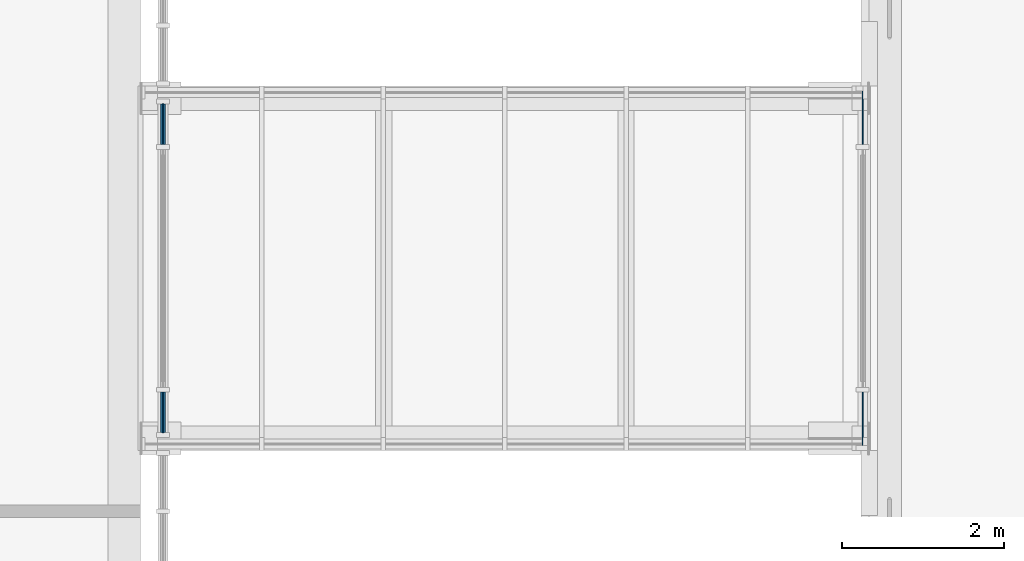
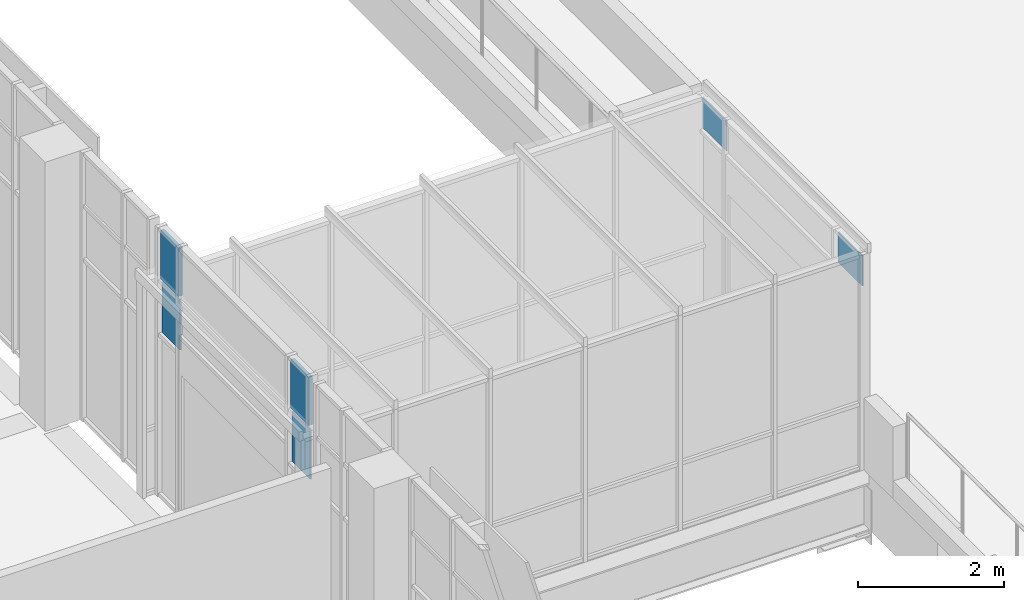
# One storey, part 67 of 106: 6 plates, 2 elements without a shape of their own.
"""IFC4 building model written with IfcOpenShell, lengths in metres."""

from ifc_helpers import new_model, si_unit, direction, frame, origin, origin_2d, place, context, subcontext, project, spatial, rectangle, extrude, material, layer, layer_set, type_object, element, aggregate, save


model = new_model("IFC4")

# Units and contexts
model_context = context("Model", 3, precision=1e-05, world=origin(), true_north=direction((0.0, 1.0)))
body_context = subcontext(model_context, "Body", "Model", "MODEL_VIEW")
ifc_project = project(units=[si_unit("LENGTHUNIT", "METRE"), si_unit("AREAUNIT", "SQUARE_METRE"), si_unit("VOLUMEUNIT", "CUBIC_METRE"), si_unit("PLANEANGLEUNIT", "RADIAN"), si_unit("MASSUNIT", "GRAM", prefix="KILO")], contexts=[model_context])

# Site, building, storey
site_placement = place(None, origin())
site = spatial("IfcSite", under=ifc_project, at=site_placement, CompositionType="ELEMENT")
building_placement = place(site_placement, origin())
building = spatial("IfcBuilding", under=site, at=building_placement, Name="Guidao Yard Department Store", CompositionType="ELEMENT")
storey_placement = place(building_placement, frame((0.0, 0.0, 10.5)))
storey = spatial("IfcBuildingStorey", under=building, at=storey_placement, Name="L02", CompositionType="ELEMENT", Elevation=10.5)

# Curtain wall, plates
ifc_material_1 = material(Name="Aluminium and glass", Category="aluminium")
ifc_layer_1 = layer(ifc_material_1, 0.159912109375)
ifc_layer_set_1 = layer_set([ifc_layer_1], Name="Shopfront curtain wall CW1 1500 module")
curtain_wall_type_1 = type_object("IfcCurtainWallType", Name="Shopfront curtain wall CW1 1500 module", PredefinedType="NOTDEFINED", material=ifc_layer_set_1)
curtain_wall_1_placement = place(storey_placement, origin())
curtain_wall_1 = element("IfcCurtainWall", 1, at=curtain_wall_1_placement, inside=storey, type_object=curtain_wall_type_1, Name="Arcade shop front", PredefinedType="NOTDEFINED")
ifc_material_2 = material(Name="Aluminium 6063-T5 faced insulated spandrel", Category="aluminium")
ifc_layer_2 = layer(ifc_material_2, 0.06005859375)
ifc_layer_set_2 = layer_set([ifc_layer_2], Name="Spandrel panel SP1 insulated opaque")
plate_type_1 = type_object("IfcPlateType", Name="Spandrel panel SP1 insulated opaque", PredefinedType="CURTAIN_PANEL", material=ifc_layer_set_2)
plate_1_placement = place(storey_placement, frame((108.280029296875, 83.719970703125, 3.6298828125), z_axis=(0.0, 0.0, 1.0), x_axis=(0.0, -1.0, 0.0)))
plate_1 = element("IfcPlate", 2, at=plate_1_placement, type_object=plate_type_1, Name="CW-AS-L02-19 panel 1.3", PredefinedType="CURTAIN_PANEL", context=body_context, shape_type="SweptSolid", body=[
    extrude(rectangle(XDim=0.5, YDim=0.06005859375, at=origin_2d()), origin(), (0.0, 0.0, 1.0), 0.81005859375),
])
plate_2_placement = place(storey_placement, frame((108.280029296875, 87.280029296875, 3.6298828125), z_axis=(0.0, 0.0, 1.0), x_axis=(0.0, -1.0, 0.0)))
plate_2 = element("IfcPlate", 3, at=plate_2_placement, type_object=plate_type_1, Name="CW-AS-L02-19 panel 3.3", PredefinedType="CURTAIN_PANEL", context=body_context, shape_type="SweptSolid", body=[
    extrude(rectangle(XDim=0.5, YDim=0.06005859375, at=origin_2d()), origin(), (0.0, 0.0, 1.0), 0.81005859375),
])
ifc_material_3 = material(Name="Laminated heat-soaked tempered glass", Category="glass")
ifc_layer_3 = layer(ifc_material_3, 0.017578125)
ifc_layer_set_3 = layer_set([ifc_layer_3], Name="Vision glass VG1 laminated heat-soaked tempered 8+8")
plate_type_2 = type_object("IfcPlateType", Name="Vision glass VG1 laminated heat-soaked tempered 8+8", PredefinedType="CURTAIN_PANEL", material=ifc_layer_set_3)
plate_3_placement = place(storey_placement, frame((108.280029296875, 83.719970703125, 2.72998046875), z_axis=(0.0, 0.0, 1.0), x_axis=(0.0, -1.0, 0.0)))
plate_3 = element("IfcPlate", 4, at=plate_3_placement, type_object=plate_type_2, Name="CW-AS-L02-19 panel 1.2", PredefinedType="CURTAIN_PANEL", context=body_context, shape_type="SweptSolid", body=[
    extrude(rectangle(XDim=0.5, YDim=0.017578125, at=origin_2d()), origin(), (0.0, 0.0, 1.0), 0.840087890625),
])
plate_4_placement = place(storey_placement, frame((108.280029296875, 87.280029296875, 2.72998046875), z_axis=(0.0, 0.0, 1.0), x_axis=(0.0, -1.0, 0.0)))
plate_4 = element("IfcPlate", 5, at=plate_4_placement, type_object=plate_type_2, Name="CW-AS-L02-19 panel 3.2", PredefinedType="CURTAIN_PANEL", context=body_context, shape_type="SweptSolid", body=[
    extrude(rectangle(XDim=0.5, YDim=0.017578125, at=origin_2d()), origin(), (0.0, 0.0, 1.0), 0.840087890625),
])
aggregate(curtain_wall_1, [plate_3, plate_1, plate_4, plate_2])

ifc_material_4 = material(Name="Aluminium and glass", Category="aluminium")
ifc_layer_4 = layer(ifc_material_4, 0.159912109375)
ifc_layer_set_4 = layer_set([ifc_layer_4], Name="Bridge glazing CW5 1500 module")
curtain_wall_type_2 = type_object("IfcCurtainWallType", Name="Bridge glazing CW5 1500 module", PredefinedType="NOTDEFINED", material=ifc_layer_set_4)
curtain_wall_2_placement = place(storey_placement, origin())
curtain_wall_2 = element("IfcCurtainWall", 6, at=curtain_wall_2_placement, inside=storey, type_object=curtain_wall_type_2, Name="Bridge end screen BR08", PredefinedType="NOTDEFINED")
plate_5_placement = place(storey_placement, frame((116.919921875, 83.639892578125, 3.02978515625), z_axis=(0.0, 0.0, 1.0), x_axis=(0.0, -1.0, 0.0)))
plate_5 = element("IfcPlate", 7, at=plate_5_placement, type_object=plate_type_2, Name="CW-E-L02-07 panel 1.2", PredefinedType="CURTAIN_PANEL", context=body_context, shape_type="SweptSolid", body=[
    extrude(rectangle(XDim=0.659912109375, YDim=0.017578125, at=origin_2d()), origin(), (0.0, 0.0, 1.0), 0.510009765625),
])
plate_6_placement = place(storey_placement, frame((116.919921875, 87.360107421875, 3.02978515625), z_axis=(0.0, 0.0, 1.0), x_axis=(0.0, -1.0, 0.0)))
plate_6 = element("IfcPlate", 8, at=plate_6_placement, type_object=plate_type_2, Name="CW-E-L02-07 panel 3.2", PredefinedType="CURTAIN_PANEL", context=body_context, shape_type="SweptSolid", body=[
    extrude(rectangle(XDim=0.659912109375, YDim=0.017578125, at=origin_2d()), origin(), (0.0, 0.0, 1.0), 0.510009765625),
])
aggregate(curtain_wall_2, [plate_5, plate_6])

save(model, "model.ifc")
